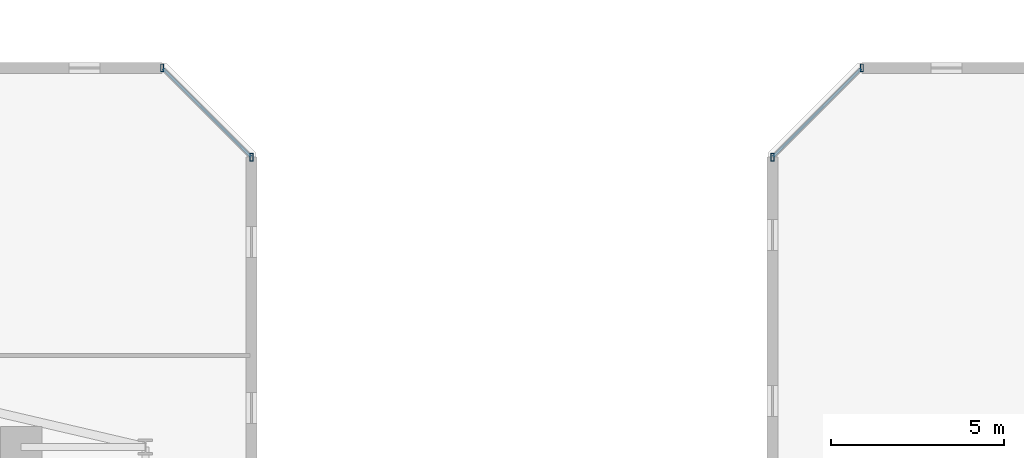
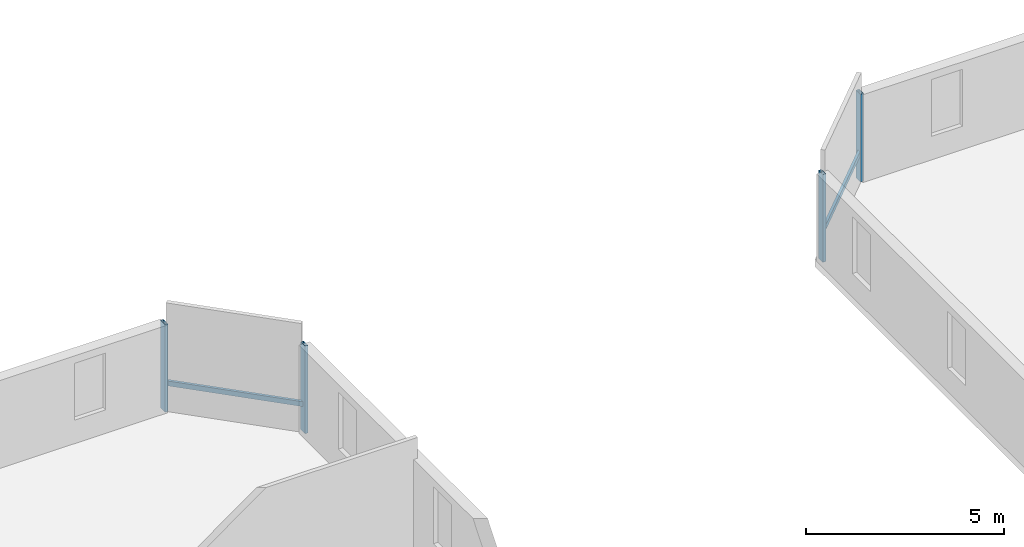
# One storey, part 10 of 30: 6 members, 2 elements without a shape of their own.
"""IFC4 building model written with IfcOpenShell, lengths in metres."""

from ifc_helpers import new_model, si_unit, direction, frame, origin, origin_2d, place, context, subcontext, project, spatial, hollow_rectangle, extrude, material, material_profile, profile_set, type_object, element, aggregate, save


model = new_model("IFC4")

# Units and contexts
model_context = context("Model", 3, precision=1e-05, world=origin(), true_north=direction((0.0, 1.0)))
body_context = subcontext(model_context, "Body", "Model", "MODEL_VIEW")
ifc_project = project(units=[si_unit("LENGTHUNIT", "METRE"), si_unit("AREAUNIT", "SQUARE_METRE"), si_unit("VOLUMEUNIT", "CUBIC_METRE"), si_unit("PLANEANGLEUNIT", "RADIAN"), si_unit("MASSUNIT", "GRAM", prefix="KILO")], contexts=[model_context])

# Site, building, storey
site_placement = place(None, origin())
site = spatial("IfcSite", under=ifc_project, at=site_placement, CompositionType="ELEMENT")
building_placement = place(site_placement, origin())
building = spatial("IfcBuilding", under=site, at=building_placement, Name="Thornwick Lancets Civic Towers", CompositionType="ELEMENT")
storey_placement = place(building_placement, frame((0.0, 0.0, 80.10009765625)))
storey = spatial("IfcBuildingStorey", under=building, at=storey_placement, Name="L20", CompositionType="ELEMENT", Elevation=80.10009765625)

# Curtain wall, members
ifc_material_1 = material(Name="Low-zone chamfered-corner unitised glass curtain wall", Category="glass")
curtain_wall_type = type_object("IfcCurtainWallType", Name="CW_SYS_03", PredefinedType="NOTDEFINED", material=ifc_material_1)
curtain_wall_1_placement = place(storey_placement, origin())
curtain_wall_1 = element("IfcCurtainWall", 1, at=curtain_wall_1_placement, inside=storey, type_object=curtain_wall_type, Name="L20 Curtain Wall CW-L20-A-E3", PredefinedType="NOTDEFINED")
ifc_material_2 = material(Name="Thermally broken bronze aluminium S355", Category="steel")
ifc_material_profile_1 = material_profile(ifc_material_2, hollow_rectangle(XDim=0.090087890625, YDim=0.219970703125, WallThickness=0.00634765625, at=origin_2d()), Name="RHS 220x90x6.3")
ifc_profile_set_1 = profile_set([ifc_material_profile_1], Name="Thermally broken bronze aluminium S355")
member_type_1 = type_object("IfcMemberType", Name="CW_MUL_220", PredefinedType="MULLION", material=ifc_profile_set_1)
member_1_placement = place(storey_placement, frame((49.464599609375, 48.38134765625, 0.0), z_axis=(0.0, 0.0, 1.0), x_axis=(1.0, 0.0, 0.0)))
member_1 = element("IfcMember", 2, at=member_1_placement, type_object=member_type_1, Name="CW-L20-A-E3 Mullion 0", PredefinedType="MULLION", context=body_context, shape_type="SweptSolid", body=[
    extrude(hollow_rectangle(XDim=0.090087890625, YDim=0.219970703125, WallThickness=0.00634765625, at=origin_2d()), origin(), (0.0, 0.0, 1.0), 2.699951171875),
])
member_2_placement = place(storey_placement, frame((46.88134765625, 50.964599609375, 0.0), z_axis=(0.0, 0.0, 1.0), x_axis=(1.0, 0.0, 0.0)))
member_2 = element("IfcMember", 3, at=member_2_placement, type_object=member_type_1, Name="CW-L20-A-E3 Mullion 1", PredefinedType="MULLION", context=body_context, shape_type="SweptSolid", body=[
    extrude(hollow_rectangle(XDim=0.090087890625, YDim=0.219970703125, WallThickness=0.00634765625, at=origin_2d()), origin(), (0.0, 0.0, 1.0), 2.699951171875),
])

curtain_wall_2_placement = place(storey_placement, origin())
curtain_wall_2 = element("IfcCurtainWall", 4, at=curtain_wall_2_placement, inside=storey, type_object=curtain_wall_type, Name="L20 Curtain Wall CW-L20-B-E5", PredefinedType="NOTDEFINED")
member_3_placement = place(storey_placement, frame((67.11865234375, 50.964599609375, 0.0), z_axis=(0.0, 0.0, 1.0), x_axis=(1.0, 0.0, 0.0)))
member_3 = element("IfcMember", 5, at=member_3_placement, type_object=member_type_1, Name="CW-L20-B-E5 Mullion 0", PredefinedType="MULLION", context=body_context, shape_type="SweptSolid", body=[
    extrude(hollow_rectangle(XDim=0.090087890625, YDim=0.219970703125, WallThickness=0.00634765625, at=origin_2d()), origin(), (0.0, 0.0, 1.0), 2.699951171875),
])
member_4_placement = place(storey_placement, frame((64.535400390625, 48.38134765625, 0.0), z_axis=(0.0, 0.0, 1.0), x_axis=(1.0, 0.0, 0.0)))
member_4 = element("IfcMember", 6, at=member_4_placement, type_object=member_type_1, Name="CW-L20-B-E5 Mullion 1", PredefinedType="MULLION", context=body_context, shape_type="SweptSolid", body=[
    extrude(hollow_rectangle(XDim=0.090087890625, YDim=0.219970703125, WallThickness=0.00634765625, at=origin_2d()), origin(), (0.0, 0.0, 1.0), 2.699951171875),
])

# Member
ifc_material_profile_2 = material_profile(ifc_material_2, hollow_rectangle(XDim=0.074951171875, YDim=0.14990234375, WallThickness=0.0048828125, at=origin_2d()), Name="RHS 150x75x5")
ifc_profile_set_2 = profile_set([ifc_material_profile_2], Name="Thermally broken bronze aluminium S355")
member_type_2 = type_object("IfcMemberType", Name="CW_TRN_150", PredefinedType="USERDEFINED", material=ifc_profile_set_2)
member_5_placement = place(storey_placement, frame((49.45068359375, 48.3955078125, 0.849853515625), z_axis=(-0.707106781187, 0.707106781187, 0.0), x_axis=(-0.707106781187, -0.707106781187, 0.0)))
member_5 = element("IfcMember", 7, at=member_5_placement, type_object=member_type_2, Name="CW-L20-A-E3 Transom 0", ObjectType="TRANSOM", PredefinedType="USERDEFINED", context=body_context, shape_type="SweptSolid", body=[
    extrude(hollow_rectangle(XDim=0.074951171875, YDim=0.14990234375, WallThickness=0.0048828125, at=origin_2d()), origin(), (0.0, 0.0, 1.0), 3.613525390625),
])

aggregate(curtain_wall_1, [member_1, member_2, member_5])

member_6_placement = place(storey_placement, frame((67.1044921875, 50.95068359375, 0.849853515625), z_axis=(-0.707106781187, -0.707106781187, 0.0), x_axis=(0.707106781187, -0.707106781187, 0.0)))
member_6 = element("IfcMember", 8, at=member_6_placement, type_object=member_type_2, Name="CW-L20-B-E5 Transom 0", ObjectType="TRANSOM", PredefinedType="USERDEFINED", context=body_context, shape_type="SweptSolid", body=[
    extrude(hollow_rectangle(XDim=0.074951171875, YDim=0.14990234375, WallThickness=0.0048828125, at=origin_2d()), origin(), (0.0, 0.0, 1.0), 3.613525390625),
])

aggregate(curtain_wall_2, [member_3, member_4, member_6])

save(model, "model.ifc")
